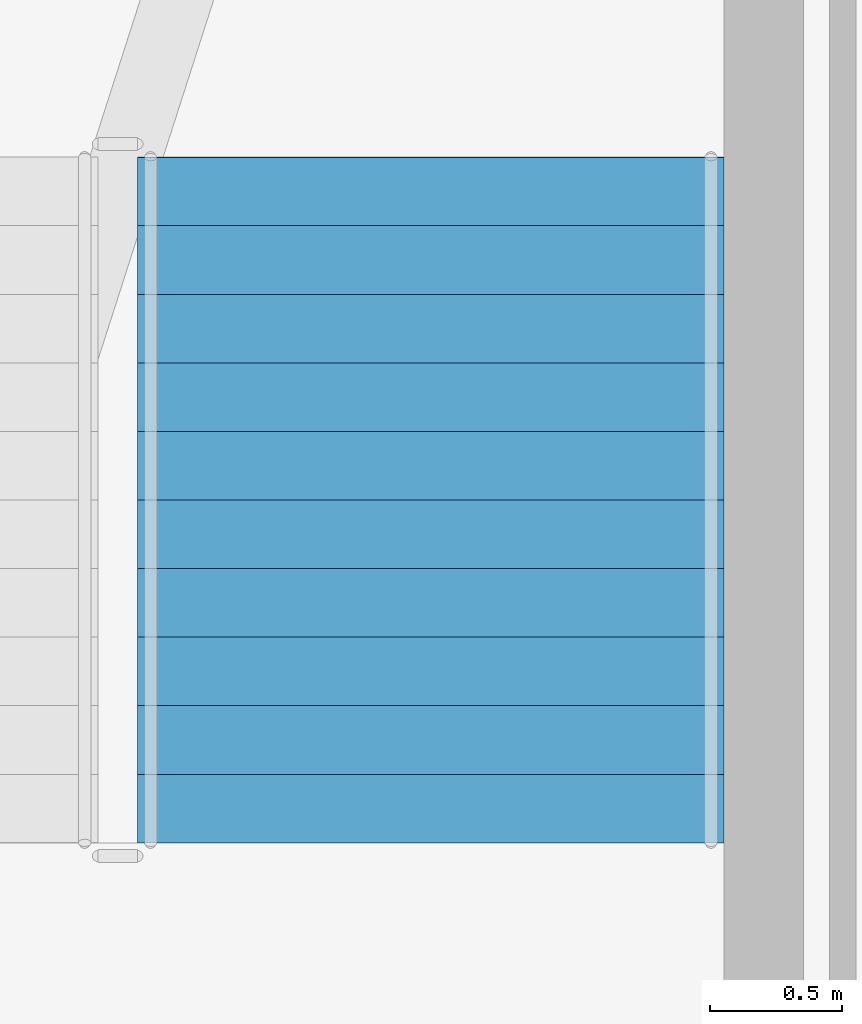
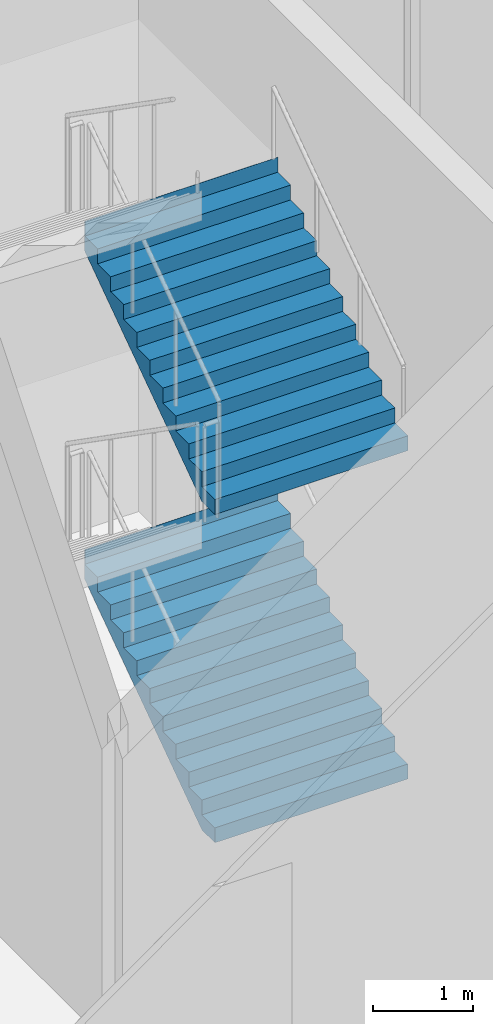
# One storey, part 32 of 36: 2 stair flights, 1 element without a shape of its own.
"""IFC4 building model written with IfcOpenShell, lengths in metres."""

from ifc_helpers import new_model, si_unit, direction, frame, origin, place, context, subcontext, project, spatial, triangles, material, type_object, element, aggregate, save


model = new_model("IFC4")

# Units and contexts
model_context = context("Model", 3, precision=1e-05, world=origin(), true_north=direction((0.0, 1.0)))
body_context = subcontext(model_context, "Body", "Model", "MODEL_VIEW")
ifc_project = project(units=[si_unit("LENGTHUNIT", "METRE"), si_unit("AREAUNIT", "SQUARE_METRE"), si_unit("VOLUMEUNIT", "CUBIC_METRE"), si_unit("PLANEANGLEUNIT", "RADIAN"), si_unit("MASSUNIT", "GRAM", prefix="KILO")], contexts=[model_context])

# Site, building, storey
site_placement = place(None, origin())
site = spatial("IfcSite", under=ifc_project, at=site_placement, CompositionType="ELEMENT")
building_placement = place(site_placement, origin())
building = spatial("IfcBuilding", under=site, at=building_placement, Name="Sahrelin Media Tower", CompositionType="ELEMENT")
storey_placement = place(building_placement, origin())
storey = spatial("IfcBuildingStorey", under=building, at=storey_placement, Name="L00", CompositionType="ELEMENT", Elevation=0.0)

# Stair, stair flights
ifc_material = material(Name="Concrete C40/50", Category="concrete")
stair_type = type_object("IfcStairType", Name="Podium stair 2225", PredefinedType="HALF_TURN_STAIR", material=ifc_material)
stair_placement = place(storey_placement, origin())
stair = element("IfcStair", 1, at=stair_placement, inside=storey, type_object=stair_type, Name="L00 Podium stair PS1", PredefinedType="HALF_TURN_STAIR")
stair_flight_type = type_object("IfcStairFlightType", Name="Stair flight 2225", PredefinedType="STRAIGHT", material=ifc_material)
stair_flight_1_placement = place(storey_placement, frame((11.83740234375, 30.625, 0.0), z_axis=(0.0, 0.0, 1.0), x_axis=(0.0, 1.0, 0.0)))
stair_flight_1 = element("IfcStairFlight", 2, at=stair_flight_1_placement, type_object=stair_flight_type, Name="PS1 flight 1", NumberOfRisers=11, NumberOfTreads=10, PredefinedType="STRAIGHT", RiserHeight=0.181818182, TreadLength=0.26, context=body_context, shape_type="Tessellation", body=[
    triangles([(0.261474609375, 1.112548828125, 0.0), (0.261474609375, 0.794677734375, 0.0), (0.261474609375, 0.476806640625, 0.0), (0.261474609375, 0.158935546875, 0.0), (0.261474609375, -0.158935546875, 0.0), (0.261474609375, -0.476806640625, 0.0), (0.261474609375, -0.794677734375, 0.0), (0.261474609375, -1.112548828125, 0.0), (2.60009765625, 1.112548828125, 1.63525390625), (2.60009765625, 0.794677734375, 1.63525390625), (2.60009765625, 0.476806640625, 1.63525390625), (2.60009765625, 0.158935546875, 1.63525390625), (2.60009765625, -0.158935546875, 1.63525390625), (2.60009765625, -0.476806640625, 1.63525390625), (2.60009765625, -0.794677734375, 1.63525390625), (2.60009765625, -1.112548828125, 1.63525390625), (2.60009765625, 1.112548828125, 2.0), (2.60009765625, 0.794677734375, 2.0), (2.60009765625, 0.476806640625, 2.0), (2.60009765625, 0.158935546875, 2.0), (2.60009765625, -0.158935546875, 2.0), (2.60009765625, -0.476806640625, 2.0), (2.60009765625, -0.794677734375, 2.0), (2.60009765625, -1.112548828125, 2.0), (2.597900390625, 1.112548828125, 2.0), (2.597900390625, 0.794677734375, 2.0), (2.597900390625, 0.476806640625, 2.0), (2.597900390625, 0.158935546875, 2.0), (2.597900390625, -0.158935546875, 2.0), (2.597900390625, -0.476806640625, 2.0), (2.597900390625, -0.794677734375, 2.0), (2.597900390625, -1.112548828125, 2.0), (2.597900390625, 1.112548828125, 1.818115234375), (2.597900390625, 0.794677734375, 1.818115234375), (2.597900390625, 0.476806640625, 1.818115234375), (2.597900390625, 0.158935546875, 1.818115234375), (2.597900390625, -0.158935546875, 1.818115234375), (2.597900390625, -0.476806640625, 1.818115234375), (2.597900390625, -0.794677734375, 1.818115234375), (2.597900390625, -1.112548828125, 1.818115234375), (2.340087890625, 1.112548828125, 1.818115234375), (2.340087890625, 0.794677734375, 1.818115234375), (2.340087890625, 0.476806640625, 1.818115234375), (2.340087890625, 0.158935546875, 1.818115234375), (2.340087890625, -0.158935546875, 1.818115234375), (2.340087890625, -0.476806640625, 1.818115234375), (2.340087890625, -0.794677734375, 1.818115234375), (2.340087890625, -1.112548828125, 1.818115234375), (2.340087890625, 1.112548828125, 1.636474609375), (2.340087890625, 0.794677734375, 1.636474609375), (2.340087890625, 0.476806640625, 1.636474609375), (2.340087890625, 0.158935546875, 1.636474609375), (2.340087890625, -0.158935546875, 1.636474609375), (2.340087890625, -0.476806640625, 1.636474609375), (2.340087890625, -0.794677734375, 1.636474609375), (2.340087890625, -1.112548828125, 1.636474609375), (2.080078125, 1.112548828125, 1.636474609375), (2.080078125, 0.794677734375, 1.636474609375), (2.080078125, 0.476806640625, 1.636474609375), (2.080078125, 0.158935546875, 1.636474609375), (2.080078125, -0.158935546875, 1.636474609375), (2.080078125, -0.476806640625, 1.636474609375), (2.080078125, -0.794677734375, 1.636474609375), (2.080078125, -1.112548828125, 1.636474609375), (2.080078125, 1.112548828125, 1.45458984375), (2.080078125, 0.794677734375, 1.45458984375), (2.080078125, 0.476806640625, 1.45458984375), (2.080078125, 0.158935546875, 1.45458984375), (2.080078125, -0.158935546875, 1.45458984375), (2.080078125, -0.476806640625, 1.45458984375), (2.080078125, -0.794677734375, 1.45458984375), (2.080078125, -1.112548828125, 1.45458984375), (1.820068359375, 1.112548828125, 1.45458984375), (1.820068359375, 0.794677734375, 1.45458984375), (1.820068359375, 0.476806640625, 1.45458984375), (1.820068359375, 0.158935546875, 1.45458984375), (1.820068359375, -0.158935546875, 1.45458984375), (1.820068359375, -0.476806640625, 1.45458984375), (1.820068359375, -0.794677734375, 1.45458984375), (1.820068359375, -1.112548828125, 1.45458984375), (1.820068359375, 1.112548828125, 1.272705078125), (1.820068359375, 0.794677734375, 1.272705078125), (1.820068359375, 0.476806640625, 1.272705078125), (1.820068359375, 0.158935546875, 1.272705078125), (1.820068359375, -0.158935546875, 1.272705078125), (1.820068359375, -0.476806640625, 1.272705078125), (1.820068359375, -0.794677734375, 1.272705078125), (1.820068359375, -1.112548828125, 1.272705078125), (1.56005859375, 1.112548828125, 1.272705078125), (1.56005859375, 0.794677734375, 1.272705078125), (1.56005859375, 0.476806640625, 1.272705078125), (1.56005859375, 0.158935546875, 1.272705078125), (1.56005859375, -0.158935546875, 1.272705078125), (1.56005859375, -0.476806640625, 1.272705078125), (1.56005859375, -0.794677734375, 1.272705078125), (1.56005859375, -1.112548828125, 1.272705078125), (1.56005859375, 1.112548828125, 1.0908203125), (1.56005859375, 0.794677734375, 1.0908203125), (1.56005859375, 0.476806640625, 1.0908203125), (1.56005859375, 0.158935546875, 1.0908203125), (1.56005859375, -0.158935546875, 1.0908203125), (1.56005859375, -0.476806640625, 1.0908203125), (1.56005859375, -0.794677734375, 1.0908203125), (1.56005859375, -1.112548828125, 1.0908203125), (1.300048828125, 1.112548828125, 1.0908203125), (1.300048828125, 0.794677734375, 1.0908203125), (1.300048828125, 0.476806640625, 1.0908203125), (1.300048828125, 0.158935546875, 1.0908203125), (1.300048828125, -0.158935546875, 1.0908203125), (1.300048828125, -0.476806640625, 1.0908203125), (1.300048828125, -0.794677734375, 1.0908203125), (1.300048828125, -1.112548828125, 1.0908203125), (1.300048828125, 1.112548828125, 0.9091796875), (1.300048828125, 0.794677734375, 0.9091796875), (1.300048828125, 0.476806640625, 0.9091796875), (1.300048828125, 0.158935546875, 0.9091796875), (1.300048828125, -0.158935546875, 0.9091796875), (1.300048828125, -0.476806640625, 0.9091796875), (1.300048828125, -0.794677734375, 0.9091796875), (1.300048828125, -1.112548828125, 0.9091796875), (1.0400390625, 1.112548828125, 0.9091796875), (1.0400390625, 0.794677734375, 0.9091796875), (1.0400390625, 0.476806640625, 0.9091796875), (1.0400390625, 0.158935546875, 0.9091796875), (1.0400390625, -0.158935546875, 0.9091796875), (1.0400390625, -0.476806640625, 0.9091796875), (1.0400390625, -0.794677734375, 0.9091796875), (1.0400390625, -1.112548828125, 0.9091796875), (1.0400390625, 1.112548828125, 0.727294921875), (1.0400390625, 0.794677734375, 0.727294921875), (1.0400390625, 0.476806640625, 0.727294921875), (1.0400390625, 0.158935546875, 0.727294921875), (1.0400390625, -0.158935546875, 0.727294921875), (1.0400390625, -0.476806640625, 0.727294921875), (1.0400390625, -0.794677734375, 0.727294921875), (1.0400390625, -1.112548828125, 0.727294921875), (0.780029296875, 1.112548828125, 0.727294921875), (0.780029296875, 0.794677734375, 0.727294921875), (0.780029296875, 0.476806640625, 0.727294921875), (0.780029296875, 0.158935546875, 0.727294921875), (0.780029296875, -0.158935546875, 0.727294921875), (0.780029296875, -0.476806640625, 0.727294921875), (0.780029296875, -0.794677734375, 0.727294921875), (0.780029296875, -1.112548828125, 0.727294921875), (0.780029296875, 1.112548828125, 0.54541015625), (0.780029296875, 0.794677734375, 0.54541015625), (0.780029296875, 0.476806640625, 0.54541015625), (0.780029296875, 0.158935546875, 0.54541015625), (0.780029296875, -0.158935546875, 0.54541015625), (0.780029296875, -0.476806640625, 0.54541015625), (0.780029296875, -0.794677734375, 0.54541015625), (0.780029296875, -1.112548828125, 0.54541015625), (0.52001953125, 1.112548828125, 0.54541015625), (0.52001953125, 0.794677734375, 0.54541015625), (0.52001953125, 0.476806640625, 0.54541015625), (0.52001953125, 0.158935546875, 0.54541015625), (0.52001953125, -0.158935546875, 0.54541015625), (0.52001953125, -0.476806640625, 0.54541015625), (0.52001953125, -0.794677734375, 0.54541015625), (0.52001953125, -1.112548828125, 0.54541015625), (0.52001953125, 1.112548828125, 0.363525390625), (0.52001953125, 0.794677734375, 0.363525390625), (0.52001953125, 0.476806640625, 0.363525390625), (0.52001953125, 0.158935546875, 0.363525390625), (0.52001953125, -0.158935546875, 0.363525390625), (0.52001953125, -0.476806640625, 0.363525390625), (0.52001953125, -0.794677734375, 0.363525390625), (0.52001953125, -1.112548828125, 0.363525390625), (0.260009765625, 1.112548828125, 0.363525390625), (0.260009765625, 0.794677734375, 0.363525390625), (0.260009765625, 0.476806640625, 0.363525390625), (0.260009765625, 0.158935546875, 0.363525390625), (0.260009765625, -0.158935546875, 0.363525390625), (0.260009765625, -0.476806640625, 0.363525390625), (0.260009765625, -0.794677734375, 0.363525390625), (0.260009765625, -1.112548828125, 0.363525390625), (0.260009765625, 1.112548828125, 0.181884765625), (0.260009765625, 0.794677734375, 0.181884765625), (0.260009765625, 0.476806640625, 0.181884765625), (0.260009765625, 0.158935546875, 0.181884765625), (0.260009765625, -0.158935546875, 0.181884765625), (0.260009765625, -0.476806640625, 0.181884765625), (0.260009765625, -0.794677734375, 0.181884765625), (0.260009765625, -1.112548828125, 0.181884765625), (0.0, 1.112548828125, 0.181884765625), (0.0, 0.794677734375, 0.181884765625), (0.0, 0.476806640625, 0.181884765625), (0.0, 0.158935546875, 0.181884765625), (0.0, -0.158935546875, 0.181884765625), (0.0, -0.476806640625, 0.181884765625), (0.0, -0.794677734375, 0.181884765625), (0.0, -1.112548828125, 0.181884765625), (0.0, 1.112548828125, 0.0), (0.0, 0.794677734375, 0.0), (0.0, 0.476806640625, 0.0), (0.0, 0.158935546875, 0.0), (0.0, -0.158935546875, 0.0), (0.0, -0.476806640625, 0.0), (0.0, -0.794677734375, 0.0), (0.0, -1.112548828125, 0.0)], [[1, 9, 10], [1, 10, 2], [2, 10, 11], [2, 11, 3], [3, 11, 12], [3, 12, 4], [4, 12, 13], [4, 13, 5], [5, 13, 14], [5, 14, 6], [6, 14, 15], [6, 15, 7], [7, 15, 16], [7, 16, 8], [9, 17, 18], [9, 18, 10], [10, 18, 19], [10, 19, 11], [11, 19, 20], [11, 20, 12], [12, 20, 21], [12, 21, 13], [13, 21, 22], [13, 22, 14], [14, 22, 23], [14, 23, 15], [15, 23, 24], [15, 24, 16], [17, 25, 26], [17, 26, 18], [18, 26, 27], [18, 27, 19], [19, 27, 28], [19, 28, 20], [20, 28, 29], [20, 29, 21], [21, 29, 30], [21, 30, 22], [22, 30, 31], [22, 31, 23], [23, 31, 32], [23, 32, 24], [25, 33, 34], [25, 34, 26], [26, 34, 35], [26, 35, 27], [27, 35, 36], [27, 36, 28], [28, 36, 37], [28, 37, 29], [29, 37, 38], [29, 38, 30], [30, 38, 39], [30, 39, 31], [31, 39, 40], [31, 40, 32], [33, 41, 42], [33, 42, 34], [34, 42, 43], [34, 43, 35], [35, 43, 44], [35, 44, 36], [36, 44, 45], [36, 45, 37], [37, 45, 46], [37, 46, 38], [38, 46, 47], [38, 47, 39], [39, 47, 48], [39, 48, 40], [41, 49, 50], [41, 50, 42], [42, 50, 51], [42, 51, 43], [43, 51, 52], [43, 52, 44], [44, 52, 53], [44, 53, 45], [45, 53, 54], [45, 54, 46], [46, 54, 55], [46, 55, 47], [47, 55, 56], [47, 56, 48], [49, 57, 58], [49, 58, 50], [50, 58, 59], [50, 59, 51], [51, 59, 60], [51, 60, 52], [52, 60, 61], [52, 61, 53], [53, 61, 62], [53, 62, 54], [54, 62, 63], [54, 63, 55], [55, 63, 64], [55, 64, 56], [57, 65, 66], [57, 66, 58], [58, 66, 67], [58, 67, 59], [59, 67, 68], [59, 68, 60], [60, 68, 69], [60, 69, 61], [61, 69, 70], [61, 70, 62], [62, 70, 71], [62, 71, 63], [63, 71, 72], [63, 72, 64], [65, 73, 74], [65, 74, 66], [66, 74, 75], [66, 75, 67], [67, 75, 76], [67, 76, 68], [68, 76, 77], [68, 77, 69], [69, 77, 78], [69, 78, 70], [70, 78, 79], [70, 79, 71], [71, 79, 80], [71, 80, 72], [73, 81, 82], [73, 82, 74], [74, 82, 83], [74, 83, 75], [75, 83, 84], [75, 84, 76], [76, 84, 85], [76, 85, 77], [77, 85, 86], [77, 86, 78], [78, 86, 87], [78, 87, 79], [79, 87, 88], [79, 88, 80], [81, 89, 90], [81, 90, 82], [82, 90, 91], [82, 91, 83], [83, 91, 92], [83, 92, 84], [84, 92, 93], [84, 93, 85], [85, 93, 94], [85, 94, 86], [86, 94, 95], [86, 95, 87], [87, 95, 96], [87, 96, 88], [89, 97, 98], [89, 98, 90], [90, 98, 99], [90, 99, 91], [91, 99, 100], [91, 100, 92], [92, 100, 101], [92, 101, 93], [93, 101, 102], [93, 102, 94], [94, 102, 103], [94, 103, 95], [95, 103, 104], [95, 104, 96], [97, 105, 106], [97, 106, 98], [98, 106, 107], [98, 107, 99], [99, 107, 108], [99, 108, 100], [100, 108, 109], [100, 109, 101], [101, 109, 110], [101, 110, 102], [102, 110, 111], [102, 111, 103], [103, 111, 112], [103, 112, 104], [105, 113, 114], [105, 114, 106], [106, 114, 115], [106, 115, 107], [107, 115, 116], [107, 116, 108], [108, 116, 117], [108, 117, 109], [109, 117, 118], [109, 118, 110], [110, 118, 119], [110, 119, 111], [111, 119, 120], [111, 120, 112], [113, 121, 122], [113, 122, 114], [114, 122, 123], [114, 123, 115], [115, 123, 124], [115, 124, 116], [116, 124, 125], [116, 125, 117], [117, 125, 126], [117, 126, 118], [118, 126, 127], [118, 127, 119], [119, 127, 128], [119, 128, 120], [121, 129, 130], [121, 130, 122], [122, 130, 131], [122, 131, 123], [123, 131, 132], [123, 132, 124], [124, 132, 133], [124, 133, 125], [125, 133, 134], [125, 134, 126], [126, 134, 135], [126, 135, 127], [127, 135, 136], [127, 136, 128], [129, 137, 138], [129, 138, 130], [130, 138, 139], [130, 139, 131], [131, 139, 140], [131, 140, 132], [132, 140, 141], [132, 141, 133], [133, 141, 142], [133, 142, 134], [134, 142, 143], [134, 143, 135], [135, 143, 144], [135, 144, 136], [137, 145, 146], [137, 146, 138], [138, 146, 147], [138, 147, 139], [139, 147, 148], [139, 148, 140], [140, 148, 149], [140, 149, 141], [141, 149, 150], [141, 150, 142], [142, 150, 151], [142, 151, 143], [143, 151, 152], [143, 152, 144], [145, 153, 154], [145, 154, 146], [146, 154, 155], [146, 155, 147], [147, 155, 156], [147, 156, 148], [148, 156, 157], [148, 157, 149], [149, 157, 158], [149, 158, 150], [150, 158, 159], [150, 159, 151], [151, 159, 160], [151, 160, 152], [153, 161, 162], [153, 162, 154], [154, 162, 163], [154, 163, 155], [155, 163, 164], [155, 164, 156], [156, 164, 165], [156, 165, 157], [157, 165, 166], [157, 166, 158], [158, 166, 167], [158, 167, 159], [159, 167, 168], [159, 168, 160], [161, 169, 170], [161, 170, 162], [162, 170, 171], [162, 171, 163], [163, 171, 172], [163, 172, 164], [164, 172, 173], [164, 173, 165], [165, 173, 174], [165, 174, 166], [166, 174, 175], [166, 175, 167], [167, 175, 176], [167, 176, 168], [169, 177, 178], [169, 178, 170], [170, 178, 179], [170, 179, 171], [171, 179, 180], [171, 180, 172], [172, 180, 181], [172, 181, 173], [173, 181, 182], [173, 182, 174], [174, 182, 183], [174, 183, 175], [175, 183, 184], [175, 184, 176], [177, 185, 186], [177, 186, 178], [178, 186, 187], [178, 187, 179], [179, 187, 188], [179, 188, 180], [180, 188, 189], [180, 189, 181], [181, 189, 190], [181, 190, 182], [182, 190, 191], [182, 191, 183], [183, 191, 192], [183, 192, 184], [185, 193, 194], [185, 194, 186], [186, 194, 195], [186, 195, 187], [187, 195, 196], [187, 196, 188], [188, 196, 197], [188, 197, 189], [189, 197, 198], [189, 198, 190], [190, 198, 199], [190, 199, 191], [191, 199, 200], [191, 200, 192], [193, 1, 2], [193, 2, 194], [194, 2, 3], [194, 3, 195], [195, 3, 4], [195, 4, 196], [196, 4, 5], [196, 5, 197], [197, 5, 6], [197, 6, 198], [198, 6, 7], [198, 7, 199], [199, 7, 8], [199, 8, 200], [184, 192, 200], [177, 193, 185], [184, 168, 176], [177, 169, 161], [168, 152, 160], [161, 153, 145], [152, 136, 144], [145, 137, 129], [136, 120, 128], [129, 121, 113], [120, 104, 112], [113, 105, 97], [104, 88, 96], [97, 89, 81], [88, 72, 80], [81, 73, 65], [72, 56, 64], [65, 57, 49], [56, 40, 48], [49, 41, 33], [40, 24, 32], [33, 25, 17], [200, 8, 184], [193, 177, 1], [40, 16, 24], [33, 17, 9], [168, 184, 8], [161, 1, 177], [56, 16, 40], [49, 33, 9], [152, 168, 8], [145, 1, 161], [72, 16, 56], [65, 49, 9], [136, 152, 8], [129, 1, 145], [88, 16, 72], [81, 65, 9], [120, 136, 8], [113, 1, 129], [104, 16, 88], [97, 81, 9], [8, 16, 120], [1, 113, 9], [120, 16, 104], [113, 97, 9]], closed=True),
])
stair_flight_2_placement = place(storey_placement, frame((11.83740234375, 30.625, 4.0), z_axis=(0.0, 0.0, 1.0), x_axis=(0.0, 1.0, 0.0)))
stair_flight_2 = element("IfcStairFlight", 3, at=stair_flight_2_placement, type_object=stair_flight_type, Name="PS1 flight 3", NumberOfRisers=11, NumberOfTreads=10, PredefinedType="STRAIGHT", RiserHeight=0.181818182, TreadLength=0.26, context=body_context, shape_type="Tessellation", body=[
    triangles([(0.261474609375, 1.112548828125, 0.0), (0.261474609375, 0.794677734375, 0.0), (0.261474609375, 0.476806640625, 0.0), (0.261474609375, 0.158935546875, 0.0), (0.261474609375, -0.158935546875, 0.0), (0.261474609375, -0.476806640625, 0.0), (0.261474609375, -0.794677734375, 0.0), (0.261474609375, -1.112548828125, 0.0), (2.60009765625, 1.112548828125, 1.63525390625), (2.60009765625, 0.794677734375, 1.63525390625), (2.60009765625, 0.476806640625, 1.63525390625), (2.60009765625, 0.158935546875, 1.63525390625), (2.60009765625, -0.158935546875, 1.63525390625), (2.60009765625, -0.476806640625, 1.63525390625), (2.60009765625, -0.794677734375, 1.63525390625), (2.60009765625, -1.112548828125, 1.63525390625), (2.60009765625, 1.112548828125, 2.0), (2.60009765625, 0.794677734375, 2.0), (2.60009765625, 0.476806640625, 2.0), (2.60009765625, 0.158935546875, 2.0), (2.60009765625, -0.158935546875, 2.0), (2.60009765625, -0.476806640625, 2.0), (2.60009765625, -0.794677734375, 2.0), (2.60009765625, -1.112548828125, 2.0), (2.597900390625, 1.112548828125, 2.0), (2.597900390625, 0.794677734375, 2.0), (2.597900390625, 0.476806640625, 2.0), (2.597900390625, 0.158935546875, 2.0), (2.597900390625, -0.158935546875, 2.0), (2.597900390625, -0.476806640625, 2.0), (2.597900390625, -0.794677734375, 2.0), (2.597900390625, -1.112548828125, 2.0), (2.597900390625, 1.112548828125, 1.818115234375), (2.597900390625, 0.794677734375, 1.818115234375), (2.597900390625, 0.476806640625, 1.818115234375), (2.597900390625, 0.158935546875, 1.818115234375), (2.597900390625, -0.158935546875, 1.818115234375), (2.597900390625, -0.476806640625, 1.818115234375), (2.597900390625, -0.794677734375, 1.818115234375), (2.597900390625, -1.112548828125, 1.818115234375), (2.340087890625, 1.112548828125, 1.818115234375), (2.340087890625, 0.794677734375, 1.818115234375), (2.340087890625, 0.476806640625, 1.818115234375), (2.340087890625, 0.158935546875, 1.818115234375), (2.340087890625, -0.158935546875, 1.818115234375), (2.340087890625, -0.476806640625, 1.818115234375), (2.340087890625, -0.794677734375, 1.818115234375), (2.340087890625, -1.112548828125, 1.818115234375), (2.340087890625, 1.112548828125, 1.636474609375), (2.340087890625, 0.794677734375, 1.636474609375), (2.340087890625, 0.476806640625, 1.636474609375), (2.340087890625, 0.158935546875, 1.636474609375), (2.340087890625, -0.158935546875, 1.636474609375), (2.340087890625, -0.476806640625, 1.636474609375), (2.340087890625, -0.794677734375, 1.636474609375), (2.340087890625, -1.112548828125, 1.636474609375), (2.080078125, 1.112548828125, 1.636474609375), (2.080078125, 0.794677734375, 1.636474609375), (2.080078125, 0.476806640625, 1.636474609375), (2.080078125, 0.158935546875, 1.636474609375), (2.080078125, -0.158935546875, 1.636474609375), (2.080078125, -0.476806640625, 1.636474609375), (2.080078125, -0.794677734375, 1.636474609375), (2.080078125, -1.112548828125, 1.636474609375), (2.080078125, 1.112548828125, 1.45458984375), (2.080078125, 0.794677734375, 1.45458984375), (2.080078125, 0.476806640625, 1.45458984375), (2.080078125, 0.158935546875, 1.45458984375), (2.080078125, -0.158935546875, 1.45458984375), (2.080078125, -0.476806640625, 1.45458984375), (2.080078125, -0.794677734375, 1.45458984375), (2.080078125, -1.112548828125, 1.45458984375), (1.820068359375, 1.112548828125, 1.45458984375), (1.820068359375, 0.794677734375, 1.45458984375), (1.820068359375, 0.476806640625, 1.45458984375), (1.820068359375, 0.158935546875, 1.45458984375), (1.820068359375, -0.158935546875, 1.45458984375), (1.820068359375, -0.476806640625, 1.45458984375), (1.820068359375, -0.794677734375, 1.45458984375), (1.820068359375, -1.112548828125, 1.45458984375), (1.820068359375, 1.112548828125, 1.272705078125), (1.820068359375, 0.794677734375, 1.272705078125), (1.820068359375, 0.476806640625, 1.272705078125), (1.820068359375, 0.158935546875, 1.272705078125), (1.820068359375, -0.158935546875, 1.272705078125), (1.820068359375, -0.476806640625, 1.272705078125), (1.820068359375, -0.794677734375, 1.272705078125), (1.820068359375, -1.112548828125, 1.272705078125), (1.56005859375, 1.112548828125, 1.272705078125), (1.56005859375, 0.794677734375, 1.272705078125), (1.56005859375, 0.476806640625, 1.272705078125), (1.56005859375, 0.158935546875, 1.272705078125), (1.56005859375, -0.158935546875, 1.272705078125), (1.56005859375, -0.476806640625, 1.272705078125), (1.56005859375, -0.794677734375, 1.272705078125), (1.56005859375, -1.112548828125, 1.272705078125), (1.56005859375, 1.112548828125, 1.0908203125), (1.56005859375, 0.794677734375, 1.0908203125), (1.56005859375, 0.476806640625, 1.0908203125), (1.56005859375, 0.158935546875, 1.0908203125), (1.56005859375, -0.158935546875, 1.0908203125), (1.56005859375, -0.476806640625, 1.0908203125), (1.56005859375, -0.794677734375, 1.0908203125), (1.56005859375, -1.112548828125, 1.0908203125), (1.300048828125, 1.112548828125, 1.0908203125), (1.300048828125, 0.794677734375, 1.0908203125), (1.300048828125, 0.476806640625, 1.0908203125), (1.300048828125, 0.158935546875, 1.0908203125), (1.300048828125, -0.158935546875, 1.0908203125), (1.300048828125, -0.476806640625, 1.0908203125), (1.300048828125, -0.794677734375, 1.0908203125), (1.300048828125, -1.112548828125, 1.0908203125), (1.300048828125, 1.112548828125, 0.9091796875), (1.300048828125, 0.794677734375, 0.9091796875), (1.300048828125, 0.476806640625, 0.9091796875), (1.300048828125, 0.158935546875, 0.9091796875), (1.300048828125, -0.158935546875, 0.9091796875), (1.300048828125, -0.476806640625, 0.9091796875), (1.300048828125, -0.794677734375, 0.9091796875), (1.300048828125, -1.112548828125, 0.9091796875), (1.0400390625, 1.112548828125, 0.9091796875), (1.0400390625, 0.794677734375, 0.9091796875), (1.0400390625, 0.476806640625, 0.9091796875), (1.0400390625, 0.158935546875, 0.9091796875), (1.0400390625, -0.158935546875, 0.9091796875), (1.0400390625, -0.476806640625, 0.9091796875), (1.0400390625, -0.794677734375, 0.9091796875), (1.0400390625, -1.112548828125, 0.9091796875), (1.0400390625, 1.112548828125, 0.727294921875), (1.0400390625, 0.794677734375, 0.727294921875), (1.0400390625, 0.476806640625, 0.727294921875), (1.0400390625, 0.158935546875, 0.727294921875), (1.0400390625, -0.158935546875, 0.727294921875), (1.0400390625, -0.476806640625, 0.727294921875), (1.0400390625, -0.794677734375, 0.727294921875), (1.0400390625, -1.112548828125, 0.727294921875), (0.780029296875, 1.112548828125, 0.727294921875), (0.780029296875, 0.794677734375, 0.727294921875), (0.780029296875, 0.476806640625, 0.727294921875), (0.780029296875, 0.158935546875, 0.727294921875), (0.780029296875, -0.158935546875, 0.727294921875), (0.780029296875, -0.476806640625, 0.727294921875), (0.780029296875, -0.794677734375, 0.727294921875), (0.780029296875, -1.112548828125, 0.727294921875), (0.780029296875, 1.112548828125, 0.54541015625), (0.780029296875, 0.794677734375, 0.54541015625), (0.780029296875, 0.476806640625, 0.54541015625), (0.780029296875, 0.158935546875, 0.54541015625), (0.780029296875, -0.158935546875, 0.54541015625), (0.780029296875, -0.476806640625, 0.54541015625), (0.780029296875, -0.794677734375, 0.54541015625), (0.780029296875, -1.112548828125, 0.54541015625), (0.52001953125, 1.112548828125, 0.54541015625), (0.52001953125, 0.794677734375, 0.54541015625), (0.52001953125, 0.476806640625, 0.54541015625), (0.52001953125, 0.158935546875, 0.54541015625), (0.52001953125, -0.158935546875, 0.54541015625), (0.52001953125, -0.476806640625, 0.54541015625), (0.52001953125, -0.794677734375, 0.54541015625), (0.52001953125, -1.112548828125, 0.54541015625), (0.52001953125, 1.112548828125, 0.363525390625), (0.52001953125, 0.794677734375, 0.363525390625), (0.52001953125, 0.476806640625, 0.363525390625), (0.52001953125, 0.158935546875, 0.363525390625), (0.52001953125, -0.158935546875, 0.363525390625), (0.52001953125, -0.476806640625, 0.363525390625), (0.52001953125, -0.794677734375, 0.363525390625), (0.52001953125, -1.112548828125, 0.363525390625), (0.260009765625, 1.112548828125, 0.363525390625), (0.260009765625, 0.794677734375, 0.363525390625), (0.260009765625, 0.476806640625, 0.363525390625), (0.260009765625, 0.158935546875, 0.363525390625), (0.260009765625, -0.158935546875, 0.363525390625), (0.260009765625, -0.476806640625, 0.363525390625), (0.260009765625, -0.794677734375, 0.363525390625), (0.260009765625, -1.112548828125, 0.363525390625), (0.260009765625, 1.112548828125, 0.181884765625), (0.260009765625, 0.794677734375, 0.181884765625), (0.260009765625, 0.476806640625, 0.181884765625), (0.260009765625, 0.158935546875, 0.181884765625), (0.260009765625, -0.158935546875, 0.181884765625), (0.260009765625, -0.476806640625, 0.181884765625), (0.260009765625, -0.794677734375, 0.181884765625), (0.260009765625, -1.112548828125, 0.181884765625), (0.0, 1.112548828125, 0.181884765625), (0.0, 0.794677734375, 0.181884765625), (0.0, 0.476806640625, 0.181884765625), (0.0, 0.158935546875, 0.181884765625), (0.0, -0.158935546875, 0.181884765625), (0.0, -0.476806640625, 0.181884765625), (0.0, -0.794677734375, 0.181884765625), (0.0, -1.112548828125, 0.181884765625), (0.0, 1.112548828125, 0.0), (0.0, 0.794677734375, 0.0), (0.0, 0.476806640625, 0.0), (0.0, 0.158935546875, 0.0), (0.0, -0.158935546875, 0.0), (0.0, -0.476806640625, 0.0), (0.0, -0.794677734375, 0.0), (0.0, -1.112548828125, 0.0)], [[1, 9, 10], [1, 10, 2], [2, 10, 11], [2, 11, 3], [3, 11, 12], [3, 12, 4], [4, 12, 13], [4, 13, 5], [5, 13, 14], [5, 14, 6], [6, 14, 15], [6, 15, 7], [7, 15, 16], [7, 16, 8], [9, 17, 18], [9, 18, 10], [10, 18, 19], [10, 19, 11], [11, 19, 20], [11, 20, 12], [12, 20, 21], [12, 21, 13], [13, 21, 22], [13, 22, 14], [14, 22, 23], [14, 23, 15], [15, 23, 24], [15, 24, 16], [17, 25, 26], [17, 26, 18], [18, 26, 27], [18, 27, 19], [19, 27, 28], [19, 28, 20], [20, 28, 29], [20, 29, 21], [21, 29, 30], [21, 30, 22], [22, 30, 31], [22, 31, 23], [23, 31, 32], [23, 32, 24], [25, 33, 34], [25, 34, 26], [26, 34, 35], [26, 35, 27], [27, 35, 36], [27, 36, 28], [28, 36, 37], [28, 37, 29], [29, 37, 38], [29, 38, 30], [30, 38, 39], [30, 39, 31], [31, 39, 40], [31, 40, 32], [33, 41, 42], [33, 42, 34], [34, 42, 43], [34, 43, 35], [35, 43, 44], [35, 44, 36], [36, 44, 45], [36, 45, 37], [37, 45, 46], [37, 46, 38], [38, 46, 47], [38, 47, 39], [39, 47, 48], [39, 48, 40], [41, 49, 50], [41, 50, 42], [42, 50, 51], [42, 51, 43], [43, 51, 52], [43, 52, 44], [44, 52, 53], [44, 53, 45], [45, 53, 54], [45, 54, 46], [46, 54, 55], [46, 55, 47], [47, 55, 56], [47, 56, 48], [49, 57, 58], [49, 58, 50], [50, 58, 59], [50, 59, 51], [51, 59, 60], [51, 60, 52], [52, 60, 61], [52, 61, 53], [53, 61, 62], [53, 62, 54], [54, 62, 63], [54, 63, 55], [55, 63, 64], [55, 64, 56], [57, 65, 66], [57, 66, 58], [58, 66, 67], [58, 67, 59], [59, 67, 68], [59, 68, 60], [60, 68, 69], [60, 69, 61], [61, 69, 70], [61, 70, 62], [62, 70, 71], [62, 71, 63], [63, 71, 72], [63, 72, 64], [65, 73, 74], [65, 74, 66], [66, 74, 75], [66, 75, 67], [67, 75, 76], [67, 76, 68], [68, 76, 77], [68, 77, 69], [69, 77, 78], [69, 78, 70], [70, 78, 79], [70, 79, 71], [71, 79, 80], [71, 80, 72], [73, 81, 82], [73, 82, 74], [74, 82, 83], [74, 83, 75], [75, 83, 84], [75, 84, 76], [76, 84, 85], [76, 85, 77], [77, 85, 86], [77, 86, 78], [78, 86, 87], [78, 87, 79], [79, 87, 88], [79, 88, 80], [81, 89, 90], [81, 90, 82], [82, 90, 91], [82, 91, 83], [83, 91, 92], [83, 92, 84], [84, 92, 93], [84, 93, 85], [85, 93, 94], [85, 94, 86], [86, 94, 95], [86, 95, 87], [87, 95, 96], [87, 96, 88], [89, 97, 98], [89, 98, 90], [90, 98, 99], [90, 99, 91], [91, 99, 100], [91, 100, 92], [92, 100, 101], [92, 101, 93], [93, 101, 102], [93, 102, 94], [94, 102, 103], [94, 103, 95], [95, 103, 104], [95, 104, 96], [97, 105, 106], [97, 106, 98], [98, 106, 107], [98, 107, 99], [99, 107, 108], [99, 108, 100], [100, 108, 109], [100, 109, 101], [101, 109, 110], [101, 110, 102], [102, 110, 111], [102, 111, 103], [103, 111, 112], [103, 112, 104], [105, 113, 114], [105, 114, 106], [106, 114, 115], [106, 115, 107], [107, 115, 116], [107, 116, 108], [108, 116, 117], [108, 117, 109], [109, 117, 118], [109, 118, 110], [110, 118, 119], [110, 119, 111], [111, 119, 120], [111, 120, 112], [113, 121, 122], [113, 122, 114], [114, 122, 123], [114, 123, 115], [115, 123, 124], [115, 124, 116], [116, 124, 125], [116, 125, 117], [117, 125, 126], [117, 126, 118], [118, 126, 127], [118, 127, 119], [119, 127, 128], [119, 128, 120], [121, 129, 130], [121, 130, 122], [122, 130, 131], [122, 131, 123], [123, 131, 132], [123, 132, 124], [124, 132, 133], [124, 133, 125], [125, 133, 134], [125, 134, 126], [126, 134, 135], [126, 135, 127], [127, 135, 136], [127, 136, 128], [129, 137, 138], [129, 138, 130], [130, 138, 139], [130, 139, 131], [131, 139, 140], [131, 140, 132], [132, 140, 141], [132, 141, 133], [133, 141, 142], [133, 142, 134], [134, 142, 143], [134, 143, 135], [135, 143, 144], [135, 144, 136], [137, 145, 146], [137, 146, 138], [138, 146, 147], [138, 147, 139], [139, 147, 148], [139, 148, 140], [140, 148, 149], [140, 149, 141], [141, 149, 150], [141, 150, 142], [142, 150, 151], [142, 151, 143], [143, 151, 152], [143, 152, 144], [145, 153, 154], [145, 154, 146], [146, 154, 155], [146, 155, 147], [147, 155, 156], [147, 156, 148], [148, 156, 157], [148, 157, 149], [149, 157, 158], [149, 158, 150], [150, 158, 159], [150, 159, 151], [151, 159, 160], [151, 160, 152], [153, 161, 162], [153, 162, 154], [154, 162, 163], [154, 163, 155], [155, 163, 164], [155, 164, 156], [156, 164, 165], [156, 165, 157], [157, 165, 166], [157, 166, 158], [158, 166, 167], [158, 167, 159], [159, 167, 168], [159, 168, 160], [161, 169, 170], [161, 170, 162], [162, 170, 171], [162, 171, 163], [163, 171, 172], [163, 172, 164], [164, 172, 173], [164, 173, 165], [165, 173, 174], [165, 174, 166], [166, 174, 175], [166, 175, 167], [167, 175, 176], [167, 176, 168], [169, 177, 178], [169, 178, 170], [170, 178, 179], [170, 179, 171], [171, 179, 180], [171, 180, 172], [172, 180, 181], [172, 181, 173], [173, 181, 182], [173, 182, 174], [174, 182, 183], [174, 183, 175], [175, 183, 184], [175, 184, 176], [177, 185, 186], [177, 186, 178], [178, 186, 187], [178, 187, 179], [179, 187, 188], [179, 188, 180], [180, 188, 189], [180, 189, 181], [181, 189, 190], [181, 190, 182], [182, 190, 191], [182, 191, 183], [183, 191, 192], [183, 192, 184], [185, 193, 194], [185, 194, 186], [186, 194, 195], [186, 195, 187], [187, 195, 196], [187, 196, 188], [188, 196, 197], [188, 197, 189], [189, 197, 198], [189, 198, 190], [190, 198, 199], [190, 199, 191], [191, 199, 200], [191, 200, 192], [193, 1, 2], [193, 2, 194], [194, 2, 3], [194, 3, 195], [195, 3, 4], [195, 4, 196], [196, 4, 5], [196, 5, 197], [197, 5, 6], [197, 6, 198], [198, 6, 7], [198, 7, 199], [199, 7, 8], [199, 8, 200], [184, 192, 200], [177, 193, 185], [184, 168, 176], [177, 169, 161], [168, 152, 160], [161, 153, 145], [152, 136, 144], [145, 137, 129], [136, 120, 128], [129, 121, 113], [120, 104, 112], [113, 105, 97], [104, 88, 96], [97, 89, 81], [88, 72, 80], [81, 73, 65], [72, 56, 64], [65, 57, 49], [56, 40, 48], [49, 41, 33], [40, 24, 32], [33, 25, 17], [200, 8, 184], [193, 177, 1], [40, 16, 24], [33, 17, 9], [168, 184, 8], [161, 1, 177], [56, 16, 40], [49, 33, 9], [152, 168, 8], [145, 1, 161], [72, 16, 56], [65, 49, 9], [136, 152, 8], [129, 1, 145], [88, 16, 72], [81, 65, 9], [120, 136, 8], [113, 1, 129], [104, 16, 88], [97, 81, 9], [8, 16, 120], [1, 113, 9], [120, 16, 104], [113, 97, 9]], closed=True),
])
aggregate(stair, [stair_flight_1, stair_flight_2])

save(model, "model.ifc")
